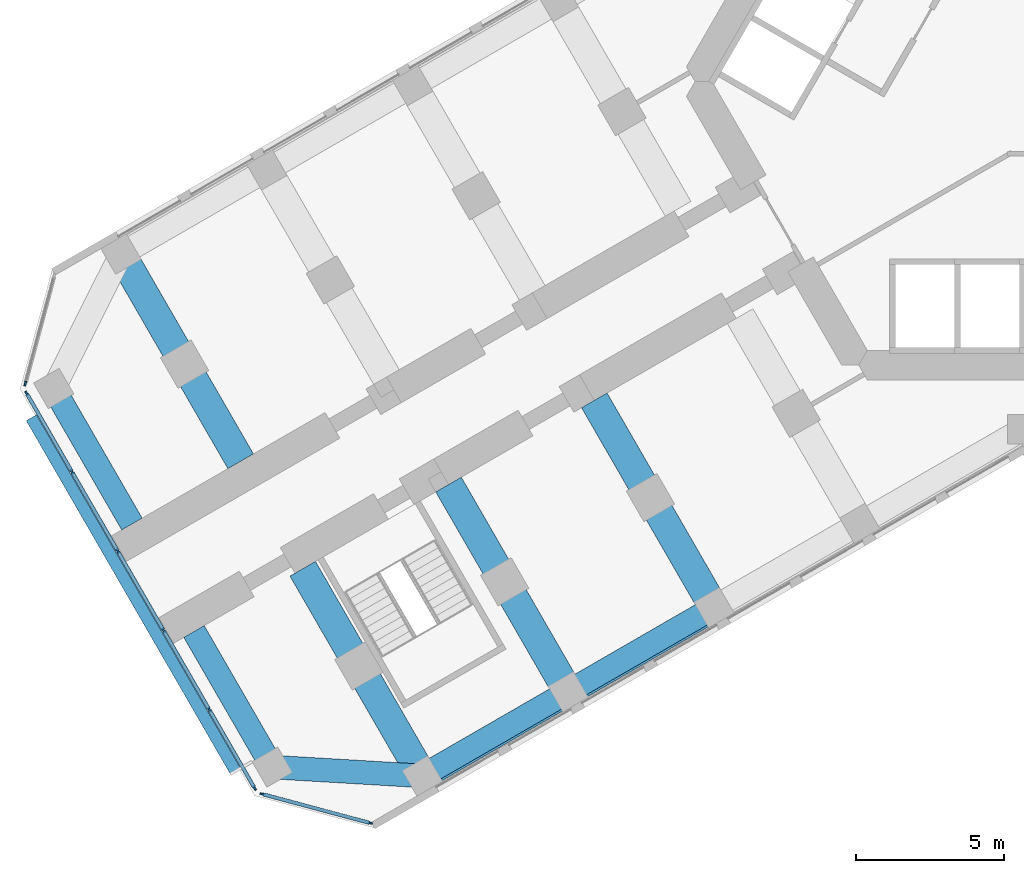
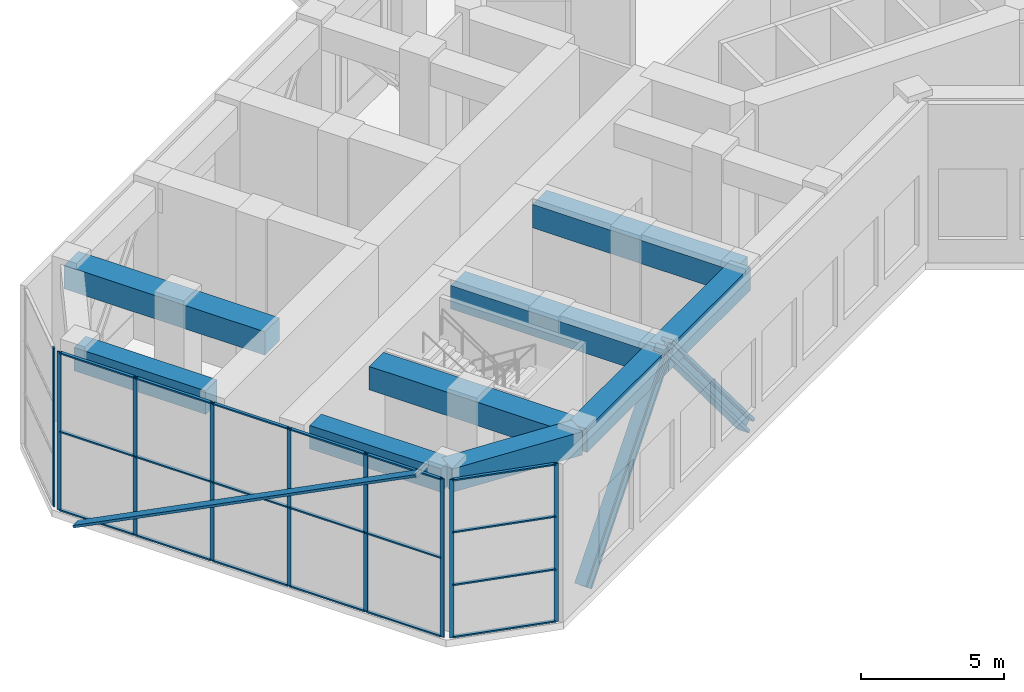
# One storey, part 2 of 17: 31 members, 9 beams, 3 elements without a shape of their own.
"""IFC4 building model written with IfcOpenShell, lengths in metres."""

from ifc_helpers import new_model, si_unit, direction, frame, origin, origin_2d, place, context, subcontext, project, spatial, rectangle, i_section, extrude, material, material_profile, profile_set, type_object, element, aggregate, save


model = new_model("IFC4")

# Units and contexts
model_context = context("Model", 3, precision=1e-05, world=origin(), true_north=direction((0.0, 1.0)))
body_context = subcontext(model_context, "Body", "Model", "MODEL_VIEW")
ifc_project = project(units=[si_unit("LENGTHUNIT", "METRE"), si_unit("AREAUNIT", "SQUARE_METRE"), si_unit("VOLUMEUNIT", "CUBIC_METRE"), si_unit("PLANEANGLEUNIT", "RADIAN"), si_unit("MASSUNIT", "GRAM", prefix="KILO")], contexts=[model_context])

# Site, building, storey
site_placement = place(None, origin())
site = spatial("IfcSite", under=ifc_project, at=site_placement, CompositionType="ELEMENT")
building_placement = place(site_placement, origin())
building = spatial("IfcBuilding", under=site, at=building_placement, Name="Kosmar Iwan School Tower", CompositionType="ELEMENT")
storey_placement = place(building_placement, frame((0.0, 0.0, 113.199951171875)))
storey = spatial("IfcBuildingStorey", under=building, at=storey_placement, Name="L28", CompositionType="ELEMENT", Elevation=113.199951171875)

# Members
ifc_material_1 = material(Name="Steel S355", Category="steel")
ifc_material_profile_1 = material_profile(ifc_material_1, i_section(OverallWidth=0.4541015625, OverallDepth=0.569091796875, WebThickness=0.077880859375, FlangeThickness=0.125, FilletRadius=0.014892578125, at=origin_2d()), Name="HD 400x1086")
ifc_profile_set_1 = profile_set([ifc_material_profile_1], Name="Steel S355")
member_type_1 = type_object("IfcMemberType", Name="Belt truss diagonal HD 400x1086", PredefinedType="BRACE", material=ifc_profile_set_1)
for number, where, z_axis, x_axis, name in (
    (1, (-10.32373046875, -18.018798828125, 0.0), (-0.556782035873, -0.321473539086, 0.76592984548), (0.50001782563, -0.866015111908, 0.0), "Belt truss diagonal BL3"),
    (2, (-15.260009765625, -20.868896484375, 6.79052734375), (-0.556782035873, -0.321473539086, -0.76592984548), (0.50001782563, -0.866015111908, 0.0), "Belt truss diagonal BL4"),
):
    element("IfcMember", number, at=place(storey_placement, frame(where, z_axis=z_axis, x_axis=x_axis)), inside=storey, type_object=member_type_1, Name=name, PredefinedType="BRACE", context=body_context, shape_type="SweptSolid", body=[
        extrude(i_section(OverallWidth=0.4541015625, OverallDepth=0.569091796875, WebThickness=0.077880859375, FlangeThickness=0.125, FilletRadius=0.014892578125, at=origin_2d()), origin(), (0.0, 0.0, 1.0), 8.86572265625),
    ])

# Beams
ifc_material_2 = material(Name="Concrete C50/60", Category="concrete")
ifc_material_profile_2 = material_profile(ifc_material_2, rectangle(XDim=0.800048828125, YDim=1.0, at=origin_2d()), Name="RC 800x1000 + HD 400x634")
ifc_profile_set_2 = profile_set([ifc_material_profile_2], Name="Concrete C50/60")
beam_type_1 = type_object("IfcBeamType", Name="Composite edge beam 800x1000 HD 400x634", PredefinedType="BEAM", material=ifc_profile_set_2)
beam_1_placement = place(storey_placement, frame((-10.445068359375, -17.808349609375, 6.25), z_axis=(-0.866025820012, -0.499999279071, 0.0), x_axis=(0.499999279071, -0.866025820012, 0.0)))
element("IfcBeam", 3, at=beam_1_placement, inside=storey, type_object=beam_type_1, Name="Edge beam BL3", PredefinedType="BEAM", context=body_context, shape_type="SweptSolid", body=[
    extrude(rectangle(XDim=0.800048828125, YDim=1.0, at=origin_2d()), origin(), (0.0, 0.0, 1.0), 5.7001953125),
])
beam_2_placement = place(storey_placement, frame((-15.381591796875, -20.658447265625, 6.25), z_axis=(-0.866015111908, -0.50001782563, 0.0), x_axis=(0.50001782563, -0.866015111908, 0.0)))
element("IfcBeam", 4, at=beam_2_placement, inside=storey, type_object=beam_type_1, Name="Edge beam BL4", PredefinedType="BEAM", context=body_context, shape_type="SweptSolid", body=[
    extrude(rectangle(XDim=0.800048828125, YDim=1.0, at=origin_2d()), origin(), (0.0, 0.0, 1.0), 5.699951171875),
])
ifc_material_3 = material(Name="Concrete C50/60", Category="concrete")
ifc_material_profile_3 = material_profile(ifc_material_3, rectangle(XDim=1.0, YDim=1.0, at=origin_2d()), Name="RC 1000x1000 + HD 400x347")
ifc_profile_set_3 = profile_set([ifc_material_profile_3], Name="Concrete C50/60")
beam_type_2 = type_object("IfcBeamType", Name="Composite transverse beam 1000x1000 HD 400x347", PredefinedType="BEAM", material=ifc_profile_set_3)
beam_3_placement = place(storey_placement, frame((-10.445068359375, -17.808349609375, 6.25), z_axis=(-0.500012932018, 0.866017937352, 0.0), x_axis=(-0.866017937352, -0.500012932018, 0.0)))
element("IfcBeam", 5, at=beam_3_placement, inside=storey, type_object=beam_type_2, Name="Transverse beam BL2", PredefinedType="BEAM", context=body_context, shape_type="SweptSolid", body=[
    extrude(rectangle(XDim=1.0, YDim=1.0, at=origin_2d()), origin(), (0.0, 0.0, 1.0), 8.099853515625),
])
for number, where, z_axis, x_axis, name in (
    (6, (-15.381591796875, -20.658447265625, 6.25), (-0.499977274689, 0.866038523851, 0.0), (-0.866038523851, -0.499977274689, 0.0), "Transverse beam BL3"),
    (7, (-20.31787109375, -23.508544921875, 6.25), (-0.499999880539, 0.866025472755, 0.0), (-0.866025472755, -0.499999880539, 0.0), "Transverse beam BL4"),
    (8, (-30.517822265625, -5.841552734375, 6.25), (0.499999880539, -0.866025472755, 0.0), (0.866025472755, 0.499999880539, 0.0), "Transverse beam BR4"),
):
    element("IfcBeam", number, at=place(storey_placement, frame(where, z_axis=z_axis, x_axis=x_axis)), inside=storey, type_object=beam_type_2, Name=name, PredefinedType="BEAM", context=body_context, shape_type="SweptSolid", body=[
        extrude(rectangle(XDim=1.0, YDim=1.0, at=origin_2d()), origin(), (0.0, 0.0, 1.0), 8.10009765625),
    ])

# Member
ifc_material_4 = material(Name="Black anodised aluminium", Category="aluminium")
ifc_material_profile_4 = material_profile(ifc_material_4, rectangle(XDim=0.10009765625, YDim=0.39990234375, at=origin_2d()), Name="FIN 100x400")
ifc_profile_set_4 = profile_set([ifc_material_profile_4], Name="Black anodised aluminium")
member_type_2 = type_object("IfcMemberType", Name="Diagonal fin 100x400", PredefinedType="USERDEFINED", material=ifc_profile_set_4)
member_1_placement = place(storey_placement, frame((-33.54345703125, -11.40087890625, -0.14990234375), z_axis=(0.445884805648, -0.772309410313, 0.452465374183), x_axis=(-0.226229551412, 0.391848318744, 0.891781971765)))
element("IfcMember", 9, at=member_1_placement, inside=storey, type_object=member_type_2, Name="Diagonal fin L28-F13", ObjectType="FIN", PredefinedType="USERDEFINED", context=body_context, shape_type="SweptSolid", body=[
    extrude(rectangle(XDim=0.10009765625, YDim=0.39990234375, at=origin_2d()), origin(), (0.0, 0.0, 1.0), 15.470703125),
])

# Curtain wall, member
ifc_material_5 = material(Name="Dark glass in black aluminium frame", Category="aluminium")
curtain_wall_type_1 = type_object("IfcCurtainWallType", Name="Chamfer curtain wall dark glass", PredefinedType="USERDEFINED", material=ifc_material_5)
curtain_wall_1_placement = place(storey_placement, origin())
curtain_wall_1 = element("IfcCurtainWall", 10, at=curtain_wall_1_placement, inside=storey, type_object=curtain_wall_type_1, Name="Curtain wall L28-F12", ObjectType="FACETED CURTAIN WALL", PredefinedType="USERDEFINED")
ifc_material_6 = material(Name="Black anodised aluminium", Category="aluminium")
ifc_material_profile_5 = material_profile(ifc_material_6, rectangle(XDim=0.06005859375, YDim=0.159912109375, at=origin_2d()), Name="MULLION 60x160")
ifc_profile_set_5 = profile_set([ifc_material_profile_5], Name="Black anodised aluminium")
member_type_3 = type_object("IfcMemberType", Name="Mullion 60x160", PredefinedType="MULLION", material=ifc_profile_set_5)
member_2_placement = place(storey_placement, frame((-33.7587890625, -10.2236328125, 0.0), z_axis=(0.0, 0.0, 1.0), x_axis=(0.965925875495, -0.258818861462, 0.0)))
member_2 = element("IfcMember", 11, at=member_2_placement, type_object=member_type_3, Name="CW2 mullion 2", PredefinedType="MULLION", context=body_context, shape_type="SweptSolid", body=[
    extrude(rectangle(XDim=0.06005859375, YDim=0.159912109375, at=origin_2d()), origin(), (0.0, 0.0, 1.0), 6.75),
])
aggregate(curtain_wall_1, [member_2])

# Curtain wall, members
ifc_material_7 = material(Name="Black aluminium louvres and glass", Category="aluminium")
curtain_wall_type_2 = type_object("IfcCurtainWallType", Name="Plant floor louvred curtain wall", PredefinedType="USERDEFINED", material=ifc_material_7)
curtain_wall_2_placement = place(storey_placement, origin())
curtain_wall_2 = element("IfcCurtainWall", 12, at=curtain_wall_2_placement, inside=storey, type_object=curtain_wall_type_2, Name="Curtain wall L28-F13", ObjectType="LOUVRED CURTAIN WALL", PredefinedType="USERDEFINED")
member_3_placement = place(storey_placement, frame((-33.71533203125, -10.55322265625, 0.0), z_axis=(0.0, 0.0, 1.0), x_axis=(0.866025405329, 0.499999997325, 0.0)))
member_3 = element("IfcMember", 13, at=member_3_placement, type_object=member_type_3, Name="CW4 mullion 1", PredefinedType="MULLION", context=body_context, shape_type="SweptSolid", body=[
    extrude(rectangle(XDim=0.06005859375, YDim=0.159912109375, at=origin_2d()), origin(), (0.0, 0.0, 1.0), 6.75),
])
member_4_placement = place(storey_placement, frame((-32.1806640625, -13.21142578125, 0.0), z_axis=(0.0, 0.0, 1.0), x_axis=(0.866025405329, 0.499999997325, 0.0)))
member_4 = element("IfcMember", 14, at=member_4_placement, type_object=member_type_3, Name="CW4 mullion 2", PredefinedType="MULLION", context=body_context, shape_type="SweptSolid", body=[
    extrude(rectangle(XDim=0.06005859375, YDim=0.159912109375, at=origin_2d()), origin(), (0.0, 0.0, 1.0), 6.75),
])
member_5_placement = place(storey_placement, frame((-30.631103515625, -15.8955078125, 0.0), z_axis=(0.0, 0.0, 1.0), x_axis=(0.866025405329, 0.499999997325, 0.0)))
member_5 = element("IfcMember", 15, at=member_5_placement, type_object=member_type_3, Name="CW4 mullion 3", PredefinedType="MULLION", context=body_context, shape_type="SweptSolid", body=[
    extrude(rectangle(XDim=0.06005859375, YDim=0.159912109375, at=origin_2d()), origin(), (0.0, 0.0, 1.0), 6.75),
])
member_6_placement = place(storey_placement, frame((-29.081298828125, -18.57958984375, 0.0), z_axis=(0.0, 0.0, 1.0), x_axis=(0.866025405329, 0.499999997325, 0.0)))
member_6 = element("IfcMember", 16, at=member_6_placement, type_object=member_type_3, Name="CW4 mullion 4", PredefinedType="MULLION", context=body_context, shape_type="SweptSolid", body=[
    extrude(rectangle(XDim=0.06005859375, YDim=0.159912109375, at=origin_2d()), origin(), (0.0, 0.0, 1.0), 6.75),
])
member_7_placement = place(storey_placement, frame((-27.53173828125, -21.263671875, 0.0), z_axis=(0.0, 0.0, 1.0), x_axis=(0.866025405329, 0.499999997325, 0.0)))
member_7 = element("IfcMember", 17, at=member_7_placement, type_object=member_type_3, Name="CW4 mullion 5", PredefinedType="MULLION", context=body_context, shape_type="SweptSolid", body=[
    extrude(rectangle(XDim=0.06005859375, YDim=0.159912109375, at=origin_2d()), origin(), (0.0, 0.0, 1.0), 6.75),
])
member_8_placement = place(storey_placement, frame((-25.9970703125, -23.921630859375, 0.0), z_axis=(0.0, 0.0, 1.0), x_axis=(0.866025405329, 0.499999997325, 0.0)))
member_8 = element("IfcMember", 18, at=member_8_placement, type_object=member_type_3, Name="CW4 mullion 6", PredefinedType="MULLION", context=body_context, shape_type="SweptSolid", body=[
    extrude(rectangle(XDim=0.06005859375, YDim=0.159912109375, at=origin_2d()), origin(), (0.0, 0.0, 1.0), 6.75),
])

curtain_wall_3_placement = place(storey_placement, origin())
curtain_wall_3 = element("IfcCurtainWall", 19, at=curtain_wall_3_placement, inside=storey, type_object=curtain_wall_type_1, Name="Curtain wall L28-F14", ObjectType="FACETED CURTAIN WALL", PredefinedType="USERDEFINED")
member_9_placement = place(storey_placement, frame((-25.733154296875, -24.124267578125, 0.0), z_axis=(0.0, 0.0, 1.0), x_axis=(0.258818861462, 0.965925875495, 0.0)))
member_9 = element("IfcMember", 20, at=member_9_placement, type_object=member_type_3, Name="CW2 mullion 1", PredefinedType="MULLION", context=body_context, shape_type="SweptSolid", body=[
    extrude(rectangle(XDim=0.06005859375, YDim=0.159912109375, at=origin_2d()), origin(), (0.0, 0.0, 1.0), 6.75),
])
member_10_placement = place(storey_placement, frame((-22.0830078125, -25.102294921875, 0.0), z_axis=(0.0, 0.0, 1.0), x_axis=(0.258818861462, 0.965925875495, 0.0)))
member_10 = element("IfcMember", 21, at=member_10_placement, type_object=member_type_3, Name="CW2 mullion 2", PredefinedType="MULLION", context=body_context, shape_type="SweptSolid", body=[
    extrude(rectangle(XDim=0.06005859375, YDim=0.159912109375, at=origin_2d()), origin(), (0.0, 0.0, 1.0), 6.75),
])

# Beams
ifc_material_8 = material(Name="Concrete C50/60", Category="concrete")
ifc_material_profile_6 = material_profile(ifc_material_8, rectangle(XDim=0.800048828125, YDim=1.0, at=origin_2d()), Name="RC 800x1000")
ifc_profile_set_6 = profile_set([ifc_material_profile_6], Name="Concrete C50/60")
beam_type_3 = type_object("IfcBeamType", Name="RC tip beam 800x1000", PredefinedType="BEAM", material=ifc_profile_set_6)
beam_4_placement = place(storey_placement, frame((-20.31787109375, -23.508544921875, 6.25), z_axis=(-0.998260616478, 0.058955420358, 0.0), x_axis=(-0.058955420358, -0.998260616478, 0.0)))
element("IfcBeam", 22, at=beam_4_placement, inside=storey, type_object=beam_type_3, Name="Tip beam BL", PredefinedType="BEAM", context=body_context, shape_type="SweptSolid", body=[
    extrude(rectangle(XDim=0.800048828125, YDim=1.0, at=origin_2d()), origin(), (0.0, 0.0, 1.0), 5.08935546875),
])
beam_5_placement = place(storey_placement, frame((-25.3984375, -23.20849609375, 6.25), z_axis=(-0.499993606316, 0.866029095148, 0.0), x_axis=(-0.866029095148, -0.499993606316, 0.0)))
element("IfcBeam", 23, at=beam_5_placement, inside=storey, type_object=beam_type_3, Name="Tip beam BL to corridor wall", PredefinedType="BEAM", context=body_context, shape_type="SweptSolid", body=[
    extrude(rectangle(XDim=0.800048828125, YDim=1.0, at=origin_2d()), origin(), (0.0, 0.0, 1.0), 5.2998046875),
])
beam_6_placement = place(storey_placement, frame((-32.79833984375, -10.391357421875, 6.25), z_axis=(0.499973660256, -0.866040610509, 0.0), x_axis=(0.866040610509, 0.499973660256, 0.0)))
element("IfcBeam", 24, at=beam_6_placement, inside=storey, type_object=beam_type_3, Name="Tip beam BR to corridor wall", PredefinedType="BEAM", context=body_context, shape_type="SweptSolid", body=[
    extrude(rectangle(XDim=0.800048828125, YDim=1.0, at=origin_2d()), origin(), (0.0, 0.0, 1.0), 5.300048828125),
])

# Member
ifc_material_9 = material(Name="Black anodised aluminium", Category="aluminium")
ifc_material_profile_7 = material_profile(ifc_material_9, rectangle(XDim=0.1201171875, YDim=0.06005859375, at=origin_2d()), Name="TRANSOM 60x120")
ifc_profile_set_7 = profile_set([ifc_material_profile_7], Name="Black anodised aluminium")
member_type_4 = type_object("IfcMemberType", Name="Transom 60x120", PredefinedType="USERDEFINED", material=ifc_profile_set_7)
member_11_placement = place(storey_placement, frame((-33.700439453125, -10.579345703125, 0.030029296875), z_axis=(0.500022102064, -0.866012642776, 0.0), x_axis=(0.866012642776, 0.500022102064, 0.0)))
member_11 = element("IfcMember", 25, at=member_11_placement, type_object=member_type_4, Name="CW4 transom 1.1", ObjectType="TRANSOM", PredefinedType="USERDEFINED", context=body_context, shape_type="SweptSolid", body=[
    extrude(rectangle(XDim=0.1201171875, YDim=0.06005859375, at=origin_2d()), origin(), (0.0, 0.0, 1.0), 3.009033203125),
])

member_12_placement = place(storey_placement, frame((-33.700439453125, -10.579345703125, 3.375), z_axis=(0.500022102064, -0.866012642776, 0.0), x_axis=(0.866012642776, 0.500022102064, 0.0)))
member_12 = element("IfcMember", 26, at=member_12_placement, type_object=member_type_4, Name="CW4 transom 1.2", ObjectType="TRANSOM", PredefinedType="USERDEFINED", context=body_context, shape_type="SweptSolid", body=[
    extrude(rectangle(XDim=0.1201171875, YDim=0.06005859375, at=origin_2d()), origin(), (0.0, 0.0, 1.0), 3.009033203125),
])

member_13_placement = place(storey_placement, frame((-33.700439453125, -10.579345703125, 6.719970703125), z_axis=(0.500022102064, -0.866012642776, 0.0), x_axis=(0.866012642776, 0.500022102064, 0.0)))
member_13 = element("IfcMember", 27, at=member_13_placement, type_object=member_type_4, Name="CW4 transom 1.3", ObjectType="TRANSOM", PredefinedType="USERDEFINED", context=body_context, shape_type="SweptSolid", body=[
    extrude(rectangle(XDim=0.1201171875, YDim=0.06005859375, at=origin_2d()), origin(), (0.0, 0.0, 1.0), 3.009033203125),
])

member_14_placement = place(storey_placement, frame((-32.165771484375, -13.2373046875, 0.030029296875), z_axis=(0.500035348339, -0.866004994449, 0.0), x_axis=(0.866004994449, 0.500035348339, 0.0)))
member_14 = element("IfcMember", 28, at=member_14_placement, type_object=member_type_4, Name="CW4 transom 2.1", ObjectType="TRANSOM", PredefinedType="USERDEFINED", context=body_context, shape_type="SweptSolid", body=[
    extrude(rectangle(XDim=0.1201171875, YDim=0.06005859375, at=origin_2d()), origin(), (0.0, 0.0, 1.0), 3.039306640625),
])

member_15_placement = place(storey_placement, frame((-32.165771484375, -13.2373046875, 3.375), z_axis=(0.500035348339, -0.866004994449, 0.0), x_axis=(0.866004994449, 0.500035348339, 0.0)))
member_15 = element("IfcMember", 29, at=member_15_placement, type_object=member_type_4, Name="CW4 transom 2.2", ObjectType="TRANSOM", PredefinedType="USERDEFINED", context=body_context, shape_type="SweptSolid", body=[
    extrude(rectangle(XDim=0.1201171875, YDim=0.06005859375, at=origin_2d()), origin(), (0.0, 0.0, 1.0), 3.039306640625),
])

member_16_placement = place(storey_placement, frame((-32.165771484375, -13.2373046875, 6.719970703125), z_axis=(0.500035348339, -0.866004994449, 0.0), x_axis=(0.866004994449, 0.500035348339, 0.0)))
member_16 = element("IfcMember", 30, at=member_16_placement, type_object=member_type_4, Name="CW4 transom 2.3", ObjectType="TRANSOM", PredefinedType="USERDEFINED", context=body_context, shape_type="SweptSolid", body=[
    extrude(rectangle(XDim=0.1201171875, YDim=0.06005859375, at=origin_2d()), origin(), (0.0, 0.0, 1.0), 3.039306640625),
])

member_17_placement = place(storey_placement, frame((-30.615966796875, -15.92138671875, 0.030029296875), z_axis=(0.499975102327, -0.866039777986, 0.0), x_axis=(0.866039777986, 0.499975102327, 0.0)))
member_17 = element("IfcMember", 31, at=member_17_placement, type_object=member_type_4, Name="CW4 transom 3.1", ObjectType="TRANSOM", PredefinedType="USERDEFINED", context=body_context, shape_type="SweptSolid", body=[
    extrude(rectangle(XDim=0.1201171875, YDim=0.06005859375, at=origin_2d()), origin(), (0.0, 0.0, 1.0), 3.039306640625),
])

member_18_placement = place(storey_placement, frame((-30.615966796875, -15.92138671875, 3.375), z_axis=(0.499975102327, -0.866039777986, 0.0), x_axis=(0.866039777986, 0.499975102327, 0.0)))
member_18 = element("IfcMember", 32, at=member_18_placement, type_object=member_type_4, Name="CW4 transom 3.2", ObjectType="TRANSOM", PredefinedType="USERDEFINED", context=body_context, shape_type="SweptSolid", body=[
    extrude(rectangle(XDim=0.1201171875, YDim=0.06005859375, at=origin_2d()), origin(), (0.0, 0.0, 1.0), 3.039306640625),
])

member_19_placement = place(storey_placement, frame((-30.615966796875, -15.92138671875, 6.719970703125), z_axis=(0.499975102327, -0.866039777986, 0.0), x_axis=(0.866039777986, 0.499975102327, 0.0)))
member_19 = element("IfcMember", 33, at=member_19_placement, type_object=member_type_4, Name="CW4 transom 3.3", ObjectType="TRANSOM", PredefinedType="USERDEFINED", context=body_context, shape_type="SweptSolid", body=[
    extrude(rectangle(XDim=0.1201171875, YDim=0.06005859375, at=origin_2d()), origin(), (0.0, 0.0, 1.0), 3.039306640625),
])

member_20_placement = place(storey_placement, frame((-29.06640625, -18.60546875, 0.030029296875), z_axis=(0.499975102327, -0.866039777986, 0.0), x_axis=(0.866039777986, 0.499975102327, 0.0)))
member_20 = element("IfcMember", 34, at=member_20_placement, type_object=member_type_4, Name="CW4 transom 4.1", ObjectType="TRANSOM", PredefinedType="USERDEFINED", context=body_context, shape_type="SweptSolid", body=[
    extrude(rectangle(XDim=0.1201171875, YDim=0.06005859375, at=origin_2d()), origin(), (0.0, 0.0, 1.0), 3.039306640625),
])

member_21_placement = place(storey_placement, frame((-29.06640625, -18.60546875, 3.375), z_axis=(0.499975102327, -0.866039777986, 0.0), x_axis=(0.866039777986, 0.499975102327, 0.0)))
member_21 = element("IfcMember", 35, at=member_21_placement, type_object=member_type_4, Name="CW4 transom 4.2", ObjectType="TRANSOM", PredefinedType="USERDEFINED", context=body_context, shape_type="SweptSolid", body=[
    extrude(rectangle(XDim=0.1201171875, YDim=0.06005859375, at=origin_2d()), origin(), (0.0, 0.0, 1.0), 3.039306640625),
])

member_22_placement = place(storey_placement, frame((-29.06640625, -18.60546875, 6.719970703125), z_axis=(0.499975102327, -0.866039777986, 0.0), x_axis=(0.866039777986, 0.499975102327, 0.0)))
member_22 = element("IfcMember", 36, at=member_22_placement, type_object=member_type_4, Name="CW4 transom 4.3", ObjectType="TRANSOM", PredefinedType="USERDEFINED", context=body_context, shape_type="SweptSolid", body=[
    extrude(rectangle(XDim=0.1201171875, YDim=0.06005859375, at=origin_2d()), origin(), (0.0, 0.0, 1.0), 3.039306640625),
])

member_23_placement = place(storey_placement, frame((-27.516845703125, -21.28955078125, 0.030029296875), z_axis=(0.499986971506, -0.866032925658, 0.0), x_axis=(0.866032925658, 0.499986971506, 0.0)))
member_23 = element("IfcMember", 37, at=member_23_placement, type_object=member_type_4, Name="CW4 transom 5.1", ObjectType="TRANSOM", PredefinedType="USERDEFINED", context=body_context, shape_type="SweptSolid", body=[
    extrude(rectangle(XDim=0.1201171875, YDim=0.06005859375, at=origin_2d()), origin(), (0.0, 0.0, 1.0), 3.00927734375),
])

member_24_placement = place(storey_placement, frame((-27.516845703125, -21.28955078125, 3.375), z_axis=(0.499986971506, -0.866032925658, 0.0), x_axis=(0.866032925658, 0.499986971506, 0.0)))
member_24 = element("IfcMember", 38, at=member_24_placement, type_object=member_type_4, Name="CW4 transom 5.2", ObjectType="TRANSOM", PredefinedType="USERDEFINED", context=body_context, shape_type="SweptSolid", body=[
    extrude(rectangle(XDim=0.1201171875, YDim=0.06005859375, at=origin_2d()), origin(), (0.0, 0.0, 1.0), 3.00927734375),
])

member_25_placement = place(storey_placement, frame((-27.516845703125, -21.28955078125, 6.719970703125), z_axis=(0.499986971506, -0.866032925658, 0.0), x_axis=(0.866032925658, 0.499986971506, 0.0)))
member_25 = element("IfcMember", 39, at=member_25_placement, type_object=member_type_4, Name="CW4 transom 5.3", ObjectType="TRANSOM", PredefinedType="USERDEFINED", context=body_context, shape_type="SweptSolid", body=[
    extrude(rectangle(XDim=0.1201171875, YDim=0.06005859375, at=origin_2d()), origin(), (0.0, 0.0, 1.0), 3.00927734375),
])

aggregate(curtain_wall_2, [member_3, member_4, member_5, member_6, member_7, member_8, member_11, member_12, member_13, member_14, member_15, member_16, member_17, member_18, member_19, member_20, member_21, member_22, member_23, member_24, member_25])

member_26_placement = place(storey_placement, frame((-25.704345703125, -24.1318359375, 0.030029296875), z_axis=(0.965923731726, -0.258826861991, 0.0), x_axis=(0.258826861991, 0.965923731726, 0.0)))
member_26 = element("IfcMember", 40, at=member_26_placement, type_object=member_type_4, Name="CW2 transom 1.1", ObjectType="TRANSOM", PredefinedType="USERDEFINED", context=body_context, shape_type="SweptSolid", body=[
    extrude(rectangle(XDim=0.1201171875, YDim=0.06005859375, at=origin_2d()), origin(), (0.0, 0.0, 1.0), 3.71923828125),
])

member_27_placement = place(storey_placement, frame((-25.704345703125, -24.1318359375, 2.25), z_axis=(0.965923731726, -0.258826861991, 0.0), x_axis=(0.258826861991, 0.965923731726, 0.0)))
member_27 = element("IfcMember", 41, at=member_27_placement, type_object=member_type_4, Name="CW2 transom 1.2", ObjectType="TRANSOM", PredefinedType="USERDEFINED", context=body_context, shape_type="SweptSolid", body=[
    extrude(rectangle(XDim=0.1201171875, YDim=0.06005859375, at=origin_2d()), origin(), (0.0, 0.0, 1.0), 3.71923828125),
])

member_28_placement = place(storey_placement, frame((-25.704345703125, -24.1318359375, 4.5), z_axis=(0.965923731726, -0.258826861991, 0.0), x_axis=(0.258826861991, 0.965923731726, 0.0)))
member_28 = element("IfcMember", 42, at=member_28_placement, type_object=member_type_4, Name="CW2 transom 1.3", ObjectType="TRANSOM", PredefinedType="USERDEFINED", context=body_context, shape_type="SweptSolid", body=[
    extrude(rectangle(XDim=0.1201171875, YDim=0.06005859375, at=origin_2d()), origin(), (0.0, 0.0, 1.0), 3.71923828125),
])

member_29_placement = place(storey_placement, frame((-25.704345703125, -24.1318359375, 6.719970703125), z_axis=(0.965923731726, -0.258826861991, 0.0), x_axis=(0.258826861991, 0.965923731726, 0.0)))
member_29 = element("IfcMember", 43, at=member_29_placement, type_object=member_type_4, Name="CW2 transom 1.4", ObjectType="TRANSOM", PredefinedType="USERDEFINED", context=body_context, shape_type="SweptSolid", body=[
    extrude(rectangle(XDim=0.1201171875, YDim=0.06005859375, at=origin_2d()), origin(), (0.0, 0.0, 1.0), 3.71923828125),
])

aggregate(curtain_wall_3, [member_9, member_10, member_26, member_27, member_28, member_29])

save(model, "model.ifc")
